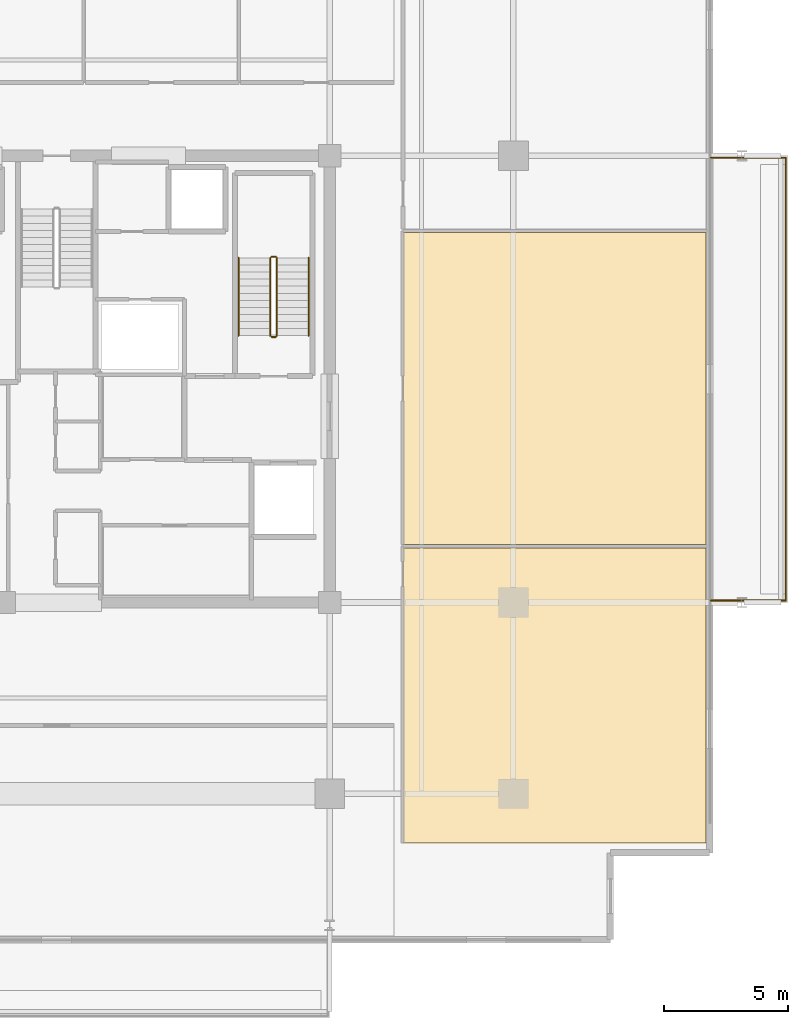
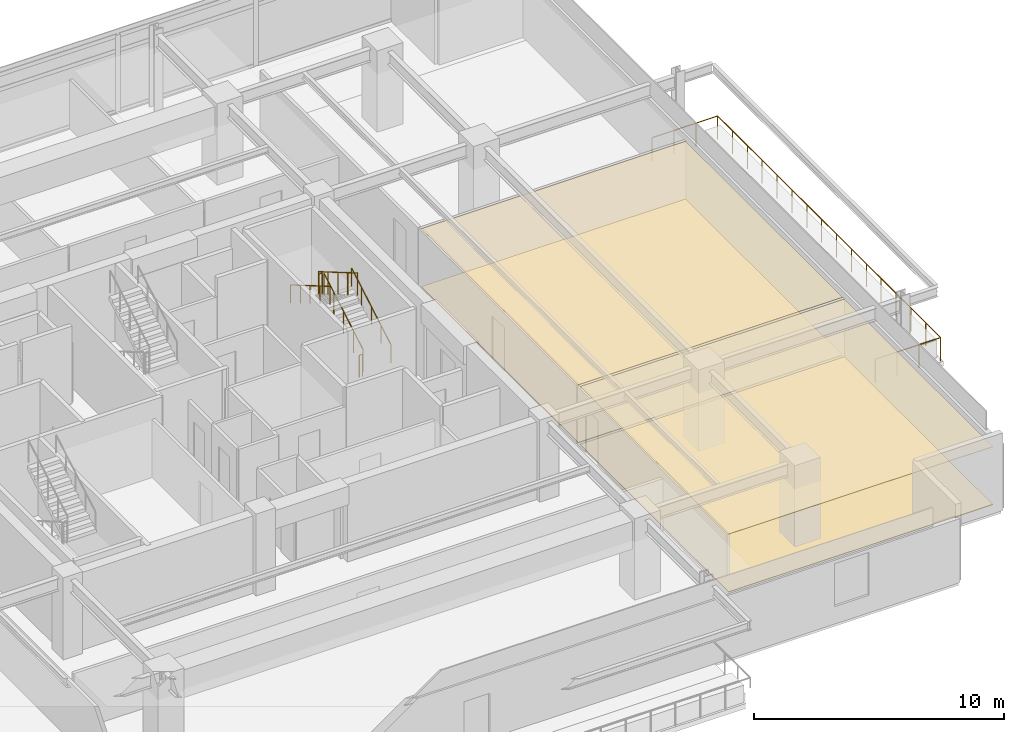
# One storey, part 19 of 21: 7 railings, 4 coverings.
"""IFC4 building model written with IfcOpenShell, lengths in metres."""

from ifc_helpers import new_model, si_unit, direction, frame, origin, origin_2d, place, context, subcontext, project, spatial, polyline, circle, outline, extrude, material, layer, layer_set, type_object, element, save


model = new_model("IFC4")

# Units and contexts
model_context = context("Model", 3, precision=1e-05, world=origin(), true_north=direction((0.0, 1.0)))
body_context = subcontext(model_context, "Body", "Model", "MODEL_VIEW")
ifc_project = project(units=[si_unit("LENGTHUNIT", "METRE"), si_unit("AREAUNIT", "SQUARE_METRE"), si_unit("VOLUMEUNIT", "CUBIC_METRE"), si_unit("PLANEANGLEUNIT", "RADIAN"), si_unit("MASSUNIT", "GRAM", prefix="KILO")], contexts=[model_context])

# Site, building, storey
site_placement = place(None, origin())
site = spatial("IfcSite", under=ifc_project, at=site_placement, CompositionType="ELEMENT")
building_placement = place(site_placement, origin())
building = spatial("IfcBuilding", under=site, at=building_placement, Name="Kovane Verandah Tower", CompositionType="ELEMENT")
storey_placement = place(building_placement, frame((0.0, 0.0, 263.199951171875)))
storey = spatial("IfcBuildingStorey", under=building, at=storey_placement, Name="L61", CompositionType="ELEMENT", Elevation=263.199951171875)

# Coverings
ifc_material_1 = material(Name="Perforated Acoustic Mineral-Fibre Ceiling Tile", Category="gypsum")
ifc_layer_1 = layer(ifc_material_1, 0.02490234375)
ifc_layer_set_1 = layer_set([ifc_layer_1], Name="Perforated Acoustic Mineral-Fibre Ceiling Tile")
covering_type_1 = type_object("IfcCoveringType", Name="CV-CEIL-25", PredefinedType="CEILING", material=ifc_layer_set_1)
covering_1_placement = place(storey_placement, frame((0.0, 0.0, 2.824951171875)))
element("IfcCovering", 1, at=covering_1_placement, inside=storey, type_object=covering_type_1, Name="L61 Focus Studio E1 Acoustic Ceiling", PredefinedType="CEILING", context=body_context, shape_type="SweptSolid", body=[
    extrude(outline(polyline([(53.949951171875, 8.820068359375), (66.15771484375, 8.820068359375), (66.15771484375, 20.705078125), (53.949951171875, 20.705078125), (53.949951171875, 8.820068359375)])), origin(), (0.0, 0.0, 1.0), 0.025146484375),
])
covering_2_placement = place(storey_placement, frame((0.0, 0.0, 2.824951171875)))
element("IfcCovering", 2, at=covering_2_placement, inside=storey, type_object=covering_type_1, Name="L61 Breakout Pantry E2 Acoustic Ceiling", PredefinedType="CEILING", context=body_context, shape_type="SweptSolid", body=[
    extrude(outline(polyline([(53.949951171875, 20.84521484375), (66.15771484375, 20.84521484375), (66.15771484375, 33.40771484375), (53.949951171875, 33.40771484375), (53.949951171875, 20.84521484375)])), origin(), (0.0, 0.0, 1.0), 0.025146484375),
])
ifc_material_2 = material(Name="Polished Terrazzo and Raised-Access Carpet Tile Finish", Category="concrete")
ifc_layer_2 = layer(ifc_material_2, 0.030029296875)
ifc_layer_set_2 = layer_set([ifc_layer_2], Name="Polished Terrazzo and Raised-Access Carpet Tile Finish")
covering_type_2 = type_object("IfcCoveringType", Name="CV-FLOR-30", PredefinedType="FLOORING", material=ifc_layer_set_2)
covering_3_placement = place(storey_placement, origin())
element("IfcCovering", 3, at=covering_3_placement, inside=storey, type_object=covering_type_2, Name="L61 Focus Studio E1 Floor Finish", PredefinedType="FLOORING", context=body_context, shape_type="SweptSolid", body=[
    extrude(outline(polyline([(53.949951171875, 8.820068359375), (66.15771484375, 8.820068359375), (66.15771484375, 20.705078125), (53.949951171875, 20.705078125), (53.949951171875, 8.820068359375)])), origin(), (0.0, 0.0, 1.0), 0.030029296875),
])
covering_4_placement = place(storey_placement, origin())
element("IfcCovering", 4, at=covering_4_placement, inside=storey, type_object=covering_type_2, Name="L61 Breakout Pantry E2 Floor Finish", PredefinedType="FLOORING", context=body_context, shape_type="SweptSolid", body=[
    extrude(outline(polyline([(53.949951171875, 20.84521484375), (66.15771484375, 20.84521484375), (66.15771484375, 33.40771484375), (53.949951171875, 33.40771484375), (53.949951171875, 20.84521484375)])), origin(), (0.0, 0.0, 1.0), 0.030029296875),
])

# Railings
ifc_material_3 = material(Name="Laminated Glass and Pale-Champagne Stainless Balustrade", Category="glass")
railing_type_1 = type_object("IfcRailingType", Name="RL-BAL-1150", PredefinedType="BALUSTRADE", material=ifc_material_3)
railing_1_placement = place(storey_placement, frame((66.357666015625, 18.580078125, 0.0)))
element("IfcRailing", 5, at=railing_1_placement, inside=storey, type_object=railing_type_1, Name="L61 E Verandah Glass Balustrade", PredefinedType="BALUSTRADE", context=body_context, shape_type="SweptSolid", body=[
    extrude(circle(Radius=0.02392578125, at=origin_2d()), frame((0.0, 0.0, 1.1259765625), z_axis=(1.0, 0.0, 0.0), x_axis=(0.0, 1.0, 0.0)), (0.0, 0.0, 1.0), 3.02001953125),
    extrude(circle(Radius=0.02392578125, at=origin_2d()), frame((3.02001953125, 0.0, 1.1259765625), z_axis=(0.0, 1.0, 0.0), x_axis=(-1.0, 0.0, 0.0)), (0.0, 0.0, 1.0), 17.83984375),
    extrude(circle(Radius=0.02392578125, at=origin_2d()), frame((3.02001953125, 17.83984375, 1.1259765625), z_axis=(-1.0, 0.0, 0.0), x_axis=(0.0, -1.0, 0.0)), (0.0, 0.0, 1.0), 3.02001953125),
    extrude(circle(Radius=0.02099609375, at=origin_2d()), origin(), (0.0, 0.0, 1.0), 1.101806640625),
    extrude(circle(Radius=0.02099609375, at=origin_2d()), frame((1.006591796875, 0.0, 0.0)), (0.0, 0.0, 1.0), 1.101806640625),
    extrude(circle(Radius=0.02099609375, at=origin_2d()), frame((2.013427734375, 0.0, 0.0)), (0.0, 0.0, 1.0), 1.101806640625),
    extrude(circle(Radius=0.02099609375, at=origin_2d()), frame((3.02001953125, 0.0, 0.0)), (0.0, 0.0, 1.0), 1.101806640625),
    extrude(circle(Radius=0.02099609375, at=origin_2d()), frame((3.02001953125, 1.189208984375, 0.0)), (0.0, 0.0, 1.0), 1.101806640625),
    extrude(circle(Radius=0.02099609375, at=origin_2d()), frame((3.02001953125, 2.378662109375, 0.0)), (0.0, 0.0, 1.0), 1.101806640625),
    extrude(circle(Radius=0.02099609375, at=origin_2d()), frame((3.02001953125, 3.56787109375, 0.0)), (0.0, 0.0, 1.0), 1.101806640625),
    extrude(circle(Radius=0.02099609375, at=origin_2d()), frame((3.02001953125, 4.75732421875, 0.0)), (0.0, 0.0, 1.0), 1.101806640625),
    extrude(circle(Radius=0.02099609375, at=origin_2d()), frame((3.02001953125, 5.946533203125, 0.0)), (0.0, 0.0, 1.0), 1.101806640625),
    extrude(circle(Radius=0.02099609375, at=origin_2d()), frame((3.02001953125, 7.135986328125, 0.0)), (0.0, 0.0, 1.0), 1.101806640625),
    extrude(circle(Radius=0.02099609375, at=origin_2d()), frame((3.02001953125, 8.3251953125, 0.0)), (0.0, 0.0, 1.0), 1.101806640625),
    extrude(circle(Radius=0.02099609375, at=origin_2d()), frame((3.02001953125, 9.5146484375, 0.0)), (0.0, 0.0, 1.0), 1.101806640625),
    extrude(circle(Radius=0.02099609375, at=origin_2d()), frame((3.02001953125, 10.703857421875, 0.0)), (0.0, 0.0, 1.0), 1.101806640625),
    extrude(circle(Radius=0.02099609375, at=origin_2d()), frame((3.02001953125, 11.893310546875, 0.0)), (0.0, 0.0, 1.0), 1.101806640625),
    extrude(circle(Radius=0.02099609375, at=origin_2d()), frame((3.02001953125, 13.08251953125, 0.0)), (0.0, 0.0, 1.0), 1.101806640625),
    extrude(circle(Radius=0.02099609375, at=origin_2d()), frame((3.02001953125, 14.27197265625, 0.0)), (0.0, 0.0, 1.0), 1.101806640625),
    extrude(circle(Radius=0.02099609375, at=origin_2d()), frame((3.02001953125, 15.461181640625, 0.0)), (0.0, 0.0, 1.0), 1.101806640625),
    extrude(circle(Radius=0.02099609375, at=origin_2d()), frame((3.02001953125, 16.650634765625, 0.0)), (0.0, 0.0, 1.0), 1.101806640625),
    extrude(circle(Radius=0.02099609375, at=origin_2d()), frame((3.02001953125, 17.83984375, 0.0)), (0.0, 0.0, 1.0), 1.101806640625),
    extrude(circle(Radius=0.02099609375, at=origin_2d()), frame((2.013427734375, 17.83984375, 0.0)), (0.0, 0.0, 1.0), 1.101806640625),
    extrude(circle(Radius=0.02099609375, at=origin_2d()), frame((1.006591796875, 17.83984375, 0.0)), (0.0, 0.0, 1.0), 1.101806640625),
    extrude(circle(Radius=0.02099609375, at=origin_2d()), frame((0.0, 17.83984375, 0.0)), (0.0, 0.0, 1.0), 1.101806640625),
])
ifc_material_4 = material(Name="Brushed Stainless Steel Handrail", Category="steel")
railing_type_2 = type_object("IfcRailingType", Name="RL-HAND-920", PredefinedType="HANDRAIL", material=ifc_material_4)
railing_2_placement = place(storey_placement, frame((50.14990234375, 29.25, 0.166748046875)))
element("IfcRailing", 6, at=railing_2_placement, inside=storey, type_object=railing_type_2, Name="L61 ST-02 stair handrail 1", PredefinedType="HANDRAIL", context=body_context, shape_type="SweptSolid", body=[
    extrude(circle(Radius=0.02392578125, at=origin_2d()), frame((0.0, 0.0, 0.8759765625), z_axis=(0.0, 0.863239559939, 0.504794475164), x_axis=(-1.0, 0.0, 0.0)), (0.0, 0.0, 1.0), 3.631591796875),
    extrude(circle(Radius=0.02099609375, at=origin_2d()), origin(), (0.0, 0.0, 1.0), 0.851806640625),
    extrude(circle(Radius=0.02099609375, at=origin_2d()), frame((0.0, 0.78369140625, 0.458251953125)), (0.0, 0.0, 1.0), 0.851806640625),
    extrude(circle(Radius=0.02099609375, at=origin_2d()), frame((0.0, 1.5673828125, 0.91650390625)), (0.0, 0.0, 1.0), 0.851806640625),
    extrude(circle(Radius=0.02099609375, at=origin_2d()), frame((0.0, 2.351318359375, 1.375)), (0.0, 0.0, 1.0), 0.851806640625),
    extrude(circle(Radius=0.02099609375, at=origin_2d()), frame((0.0, 3.135009765625, 1.833251953125)), (0.0, 0.0, 1.0), 0.851806640625),
])
railing_3_placement = place(storey_placement, frame((47.330078125, 32.385009765625, 2.166748046875)))
element("IfcRailing", 7, at=railing_3_placement, inside=storey, type_object=railing_type_2, Name="L61 ST-02 stair handrail 2", PredefinedType="HANDRAIL", context=body_context, shape_type="SweptSolid", body=[
    extrude(circle(Radius=0.02392578125, at=origin_2d()), frame((0.0, 0.0, 0.8759765625), z_axis=(0.0, -0.863239559939, 0.504794475164), x_axis=(1.0, 0.0, 0.0)), (0.0, 0.0, 1.0), 3.631591796875),
    extrude(circle(Radius=0.02099609375, at=origin_2d()), origin(), (0.0, 0.0, 1.0), 0.851806640625),
    extrude(circle(Radius=0.02099609375, at=origin_2d()), frame((0.0, -0.78369140625, 0.458251953125)), (0.0, 0.0, 1.0), 0.851806640625),
    extrude(circle(Radius=0.02099609375, at=origin_2d()), frame((0.0, -1.5673828125, 0.91650390625)), (0.0, 0.0, 1.0), 0.851806640625),
    extrude(circle(Radius=0.02099609375, at=origin_2d()), frame((0.0, -2.351318359375, 1.375)), (0.0, 0.0, 1.0), 0.851806640625),
    extrude(circle(Radius=0.02099609375, at=origin_2d()), frame((0.0, -3.135009765625, 1.833251953125)), (0.0, 0.0, 1.0), 0.851806640625),
])
ifc_material_5 = material(Name="Painted Steel Stairwell Guardrail", Category="steel")
railing_type_3 = type_object("IfcRailingType", Name="RL-STGUARD-1120", PredefinedType="GUARDRAIL", material=ifc_material_5)
railing_4_placement = place(storey_placement, frame((48.8701171875, 29.25, 0.166748046875)))
element("IfcRailing", 8, at=railing_4_placement, inside=storey, type_object=railing_type_3, Name="L61 ST-02 stair guard 1", PredefinedType="GUARDRAIL", context=body_context, shape_type="SweptSolid", body=[
    extrude(circle(Radius=0.02392578125, at=origin_2d()), frame((0.0, 0.0, 1.076171875), z_axis=(0.0, 0.863239559939, 0.504794475164), x_axis=(-1.0, 0.0, 0.0)), (0.0, 0.0, 1.0), 3.631591796875),
    extrude(circle(Radius=0.02099609375, at=origin_2d()), origin(), (0.0, 0.0, 1.0), 1.052001953125),
    extrude(circle(Radius=0.02099609375, at=origin_2d()), frame((0.0, 0.78369140625, 0.458251953125)), (0.0, 0.0, 1.0), 1.052001953125),
    extrude(circle(Radius=0.02099609375, at=origin_2d()), frame((0.0, 1.5673828125, 0.91650390625)), (0.0, 0.0, 1.0), 1.052001953125),
    extrude(circle(Radius=0.02099609375, at=origin_2d()), frame((0.0, 2.351318359375, 1.375)), (0.0, 0.0, 1.0), 1.052001953125),
    extrude(circle(Radius=0.02099609375, at=origin_2d()), frame((0.0, 3.135009765625, 1.833251953125)), (0.0, 0.0, 1.0), 1.052001953125),
])
railing_5_placement = place(storey_placement, frame((48.820068359375, 32.43505859375, 2.0)))
element("IfcRailing", 9, at=railing_5_placement, inside=storey, type_object=railing_type_3, Name="L61 ST-02 stair guard 2", PredefinedType="GUARDRAIL", context=body_context, shape_type="SweptSolid", body=[
    extrude(circle(Radius=0.02392578125, at=origin_2d()), frame((0.0, 0.0, 1.076171875), z_axis=(-1.0, 0.0, 0.0), x_axis=(0.0, -1.0, 0.0)), (0.0, 0.0, 1.0), 0.16015625),
    extrude(circle(Radius=0.02099609375, at=origin_2d()), origin(), (0.0, 0.0, 1.0), 1.052001953125),
    extrude(circle(Radius=0.02099609375, at=origin_2d()), frame((-0.16015625, 0.0, 0.0)), (0.0, 0.0, 1.0), 1.052001953125),
])
railing_6_placement = place(storey_placement, frame((48.610107421875, 32.385009765625, 2.166748046875)))
element("IfcRailing", 10, at=railing_6_placement, inside=storey, type_object=railing_type_3, Name="L61 ST-02 stair guard 3", PredefinedType="GUARDRAIL", context=body_context, shape_type="SweptSolid", body=[
    extrude(circle(Radius=0.02392578125, at=origin_2d()), frame((0.0, 0.0, 1.076171875), z_axis=(0.0, -0.863239559939, 0.504794475164), x_axis=(1.0, 0.0, 0.0)), (0.0, 0.0, 1.0), 3.631591796875),
    extrude(circle(Radius=0.02099609375, at=origin_2d()), origin(), (0.0, 0.0, 1.0), 1.052001953125),
    extrude(circle(Radius=0.02099609375, at=origin_2d()), frame((0.0, -0.78369140625, 0.458251953125)), (0.0, 0.0, 1.0), 1.052001953125),
    extrude(circle(Radius=0.02099609375, at=origin_2d()), frame((0.0, -1.5673828125, 0.91650390625)), (0.0, 0.0, 1.0), 1.052001953125),
    extrude(circle(Radius=0.02099609375, at=origin_2d()), frame((0.0, -2.351318359375, 1.375)), (0.0, 0.0, 1.0), 1.052001953125),
    extrude(circle(Radius=0.02099609375, at=origin_2d()), frame((0.0, -3.135009765625, 1.833251953125)), (0.0, 0.0, 1.0), 1.052001953125),
])
railing_7_placement = place(storey_placement, frame((48.820068359375, 29.199951171875, 0.0)))
element("IfcRailing", 11, at=railing_7_placement, inside=storey, type_object=railing_type_3, Name="L61 ST-02 stair guard 4", PredefinedType="GUARDRAIL", context=body_context, shape_type="SweptSolid", body=[
    extrude(circle(Radius=0.02392578125, at=origin_2d()), frame((0.0, 0.0, 1.076171875), z_axis=(-1.0, 0.0, 0.0), x_axis=(0.0, -1.0, 0.0)), (0.0, 0.0, 1.0), 0.16015625),
    extrude(circle(Radius=0.02099609375, at=origin_2d()), origin(), (0.0, 0.0, 1.0), 1.052001953125),
    extrude(circle(Radius=0.02099609375, at=origin_2d()), frame((-0.16015625, 0.0, 0.0)), (0.0, 0.0, 1.0), 1.052001953125),
])

save(model, "model.ifc")
